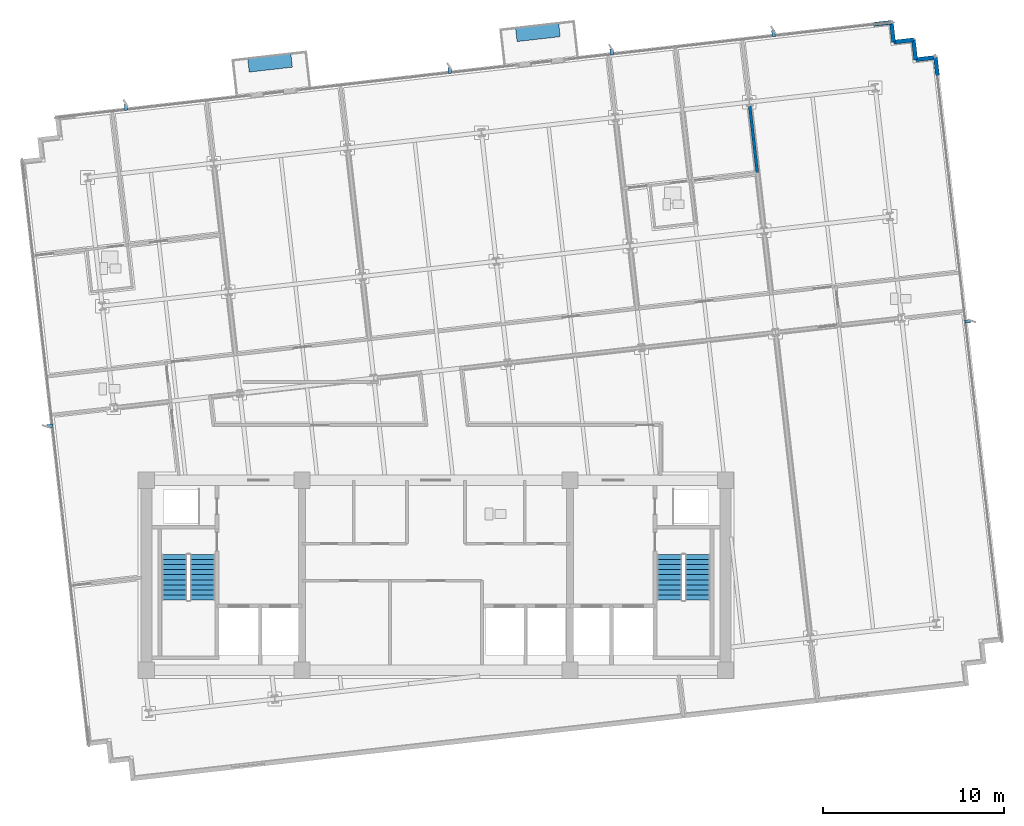
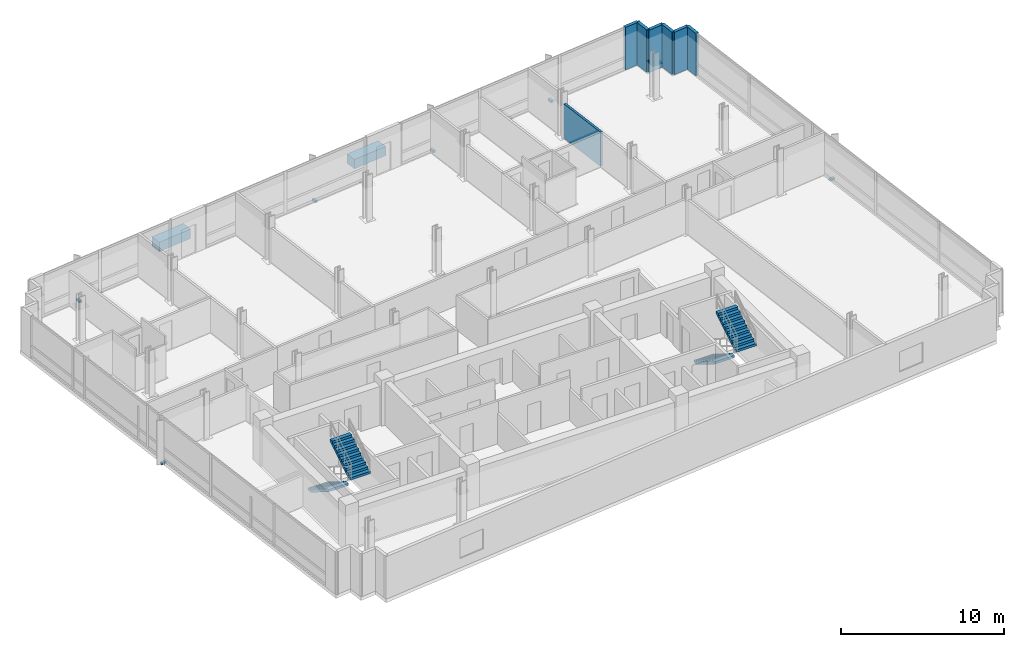
# One storey, part 11 of 15: 8 discrete accessories, 7 walls, 4 stair flights, 2 elements without a shape of their own.
"""IFC4 building model written with IfcOpenShell, lengths in metres."""

from ifc_helpers import new_model, si_unit, direction, frame, frame_2d, origin, origin_2d, place, context, subcontext, project, spatial, polyline, rectangle, outline, extrude, material, layer, layer_set, type_object, element, aggregate, save


model = new_model("IFC4")

# Units and contexts
model_context = context("Model", 3, precision=1e-05, world=origin(), true_north=direction((0.0, 1.0)))
body_context = subcontext(model_context, "Body", "Model", "MODEL_VIEW")
ifc_project = project(units=[si_unit("LENGTHUNIT", "METRE"), si_unit("AREAUNIT", "SQUARE_METRE"), si_unit("VOLUMEUNIT", "CUBIC_METRE"), si_unit("PLANEANGLEUNIT", "RADIAN"), si_unit("MASSUNIT", "GRAM", prefix="KILO")], contexts=[model_context])

# Site, building, storey
site_placement = place(None, origin())
site = spatial("IfcSite", under=ifc_project, at=site_placement, CompositionType="ELEMENT")
building_placement = place(site_placement, origin())
building = spatial("IfcBuilding", under=site, at=building_placement, Name="Solmavex Isthmus Hotel", CompositionType="ELEMENT")
storey_placement = place(building_placement, frame((0.0, 0.0, 229.64990234375)))
storey = spatial("IfcBuildingStorey", under=building, at=storey_placement, Name="L62", CompositionType="ELEMENT", Elevation=229.64990234375)

# Walls
ifc_material_1 = material(Name="Precast Concrete C40/50", Category="concrete")
ifc_layer_1 = layer(ifc_material_1, 0.25)
ifc_layer_set_1 = layer_set([ifc_layer_1], Name="Precast Concrete C40/50")
wall_type_1 = type_object("IfcWallType", Name="EW-TWR-250", PredefinedType="STANDARD", material=ifc_layer_set_1)
wall_1_placement = place(storey_placement, frame((24.175537109375, 22.684814453125, 0.0), z_axis=(0.0, 0.0, 1.0), x_axis=(0.993573147212, 0.113191877531, 0.0)))
element("IfcWall", 1, at=wall_1_placement, inside=storey, type_object=wall_type_1, Name="Serrated Corner Facade Panel L62-14", PredefinedType="STANDARD", context=body_context, shape_type="SweptSolid", body=[
    extrude(rectangle(XDim=0.989990234375, YDim=0.219970703125, at=frame_2d((0.4951171875, 0.0))), origin(), (0.0, 0.0, 1.0), 3.190185546875),
])
for number, where, z_axis, x_axis, name in (
    (2, (25.1591796875, 22.796875, 0.0), (0.0, 0.0, 1.0), (0.11320852056, -0.99357125103, 0.0), "Serrated Corner Facade Panel L62-15"),
    (3, (25.28369140625, 21.7041015625, 0.0), (0.0, 0.0, 1.0), (0.99357125103, 0.11320852056, 0.0), "Serrated Corner Facade Panel L62-16"),
):
    element("IfcWall", number, at=place(storey_placement, frame(where, z_axis=z_axis, x_axis=x_axis)), inside=storey, type_object=wall_type_1, Name=name, PredefinedType="STANDARD", context=body_context, shape_type="SweptSolid", body=[
        extrude(rectangle(XDim=1.099853515625, YDim=0.219970703125, at=frame_2d((0.5498046875, 0.0))), origin(), (0.0, 0.0, 1.0), 3.190185546875),
    ])
wall_2_placement = place(storey_placement, frame((26.37646484375, 21.82861328125, 0.0), z_axis=(0.0, 0.0, 1.0), x_axis=(0.113402635104, -0.993549114212, 0.0)))
element("IfcWall", 4, at=wall_2_placement, inside=storey, type_object=wall_type_1, Name="Serrated Corner Facade Panel L62-17", PredefinedType="STANDARD", context=body_context, shape_type="SweptSolid", body=[
    extrude(rectangle(XDim=1.10009765625, YDim=0.219970703125, at=frame_2d((0.550048828125, 0.0))), origin(), (0.0, 0.0, 1.0), 3.190185546875),
])
wall_3_placement = place(storey_placement, frame((26.501220703125, 20.735595703125, 0.0), z_axis=(0.0, 0.0, 1.0), x_axis=(0.99357125103, 0.11320852056, 0.0)))
element("IfcWall", 5, at=wall_3_placement, inside=storey, type_object=wall_type_1, Name="Serrated Corner Facade Panel L62-18", PredefinedType="STANDARD", context=body_context, shape_type="SweptSolid", body=[
    extrude(rectangle(XDim=1.099853515625, YDim=0.219970703125, at=frame_2d((0.5498046875, 0.0))), origin(), (0.0, 0.0, 1.0), 3.190185546875),
])
wall_4_placement = place(storey_placement, frame((27.593994140625, 20.860107421875, 0.0), z_axis=(0.0, 0.0, 1.0), x_axis=(0.113191877531, -0.993573147212, 0.0)))
element("IfcWall", 6, at=wall_4_placement, inside=storey, type_object=wall_type_1, Name="Serrated Corner Facade Panel L62-19", PredefinedType="STANDARD", context=body_context, shape_type="SweptSolid", body=[
    extrude(rectangle(XDim=0.989990234375, YDim=0.219970703125, at=frame_2d((0.4951171875, 0.0))), origin(), (0.0, 0.0, 1.0), 3.190185546875),
])
ifc_material_2 = material(Name="Gypsum plasterboard lining", Category="gypsum")
ifc_layer_2 = layer(ifc_material_2, 0.159912109375)
ifc_layer_set_2 = layer_set([ifc_layer_2], Name="Gypsum plasterboard lining")
wall_type_2 = type_object("IfcWallType", Name="IW-COMP-160", PredefinedType="PARTITIONING", material=ifc_layer_set_2)
wall_5_placement = place(storey_placement, frame((17.32958984375, 18.21484375, 0.0), z_axis=(0.0, 0.0, 1.0), x_axis=(0.11319107796, -0.993573238302, 0.0)))
element("IfcWall", 7, at=wall_5_placement, inside=storey, type_object=wall_type_2, Name="Interior Partition Wall W-L62-P051", PredefinedType="PARTITIONING", context=body_context, shape_type="SweptSolid", body=[
    extrude(rectangle(XDim=3.8154296875, YDim=0.159912109375, at=frame_2d((1.90771484375, 0.0))), origin(), (0.0, 0.0, 1.0), 2.572509765625),
])

# Stair, stair flights
ifc_material_3 = material(Name="Concrete C40/50", Category="concrete")
stair_type_1 = type_object("IfcStairType", Name="STR-ST-1", PredefinedType="HALF_TURN_STAIR", material=ifc_material_3)
stair_1_placement = place(storey_placement, origin())
stair_1 = element("IfcStair", 8, at=stair_1_placement, inside=storey, type_object=stair_type_1, Name="L62 Protected Exit Stair ST-1", PredefinedType="HALF_TURN_STAIR")
stair_flight_type_1 = type_object("IfcStairFlightType", Name="SFL-ST-1", PredefinedType="STRAIGHT", material=ifc_material_3)
stair_flight_1_placement = place(storey_placement, frame((-14.449951171875, -6.60009765625, 0.0), z_axis=(0.0, 0.0, 1.0), x_axis=(0.0, -1.0, 0.0)))
stair_flight_1 = element("IfcStairFlight", 9, at=stair_flight_1_placement, type_object=stair_flight_type_1, Name="ST-1 flight 1", NumberOfRisers=10, NumberOfTreads=9, PredefinedType="STRAIGHT", RiserHeight=0.1725, TreadLength=0.28, context=body_context, shape_type="SweptSolid", body=[
    extrude(outline(polyline([(0.0, 0.0), (0.0, 0.172607421875), (0.280029296875, 0.172607421875), (0.280029296875, 0.344970703125), (0.56005859375, 0.344970703125), (0.56005859375, 0.517578125), (0.840087890625, 0.517578125), (0.840087890625, 0.68994140625), (1.1201171875, 0.68994140625), (1.1201171875, 0.862548828125), (1.39990234375, 0.862548828125), (1.39990234375, 1.034912109375), (1.679931640625, 1.034912109375), (1.679931640625, 1.20751953125), (1.9599609375, 1.20751953125), (1.9599609375, 1.3798828125), (2.239990234375, 1.3798828125), (2.239990234375, 1.552490234375), (2.52001953125, 1.552490234375), (2.52001953125, 1.72509765625), (2.52001953125, 1.37646484375), (0.285888671875, 0.0), (0.0, 0.0)])), frame((0.0, 0.699951171875, 0.0), z_axis=(0.0, -1.0, 0.0), x_axis=(1.0, 0.0, 0.0)), (0.0, 0.0, 1.0), 1.39990234375),
])
stair_flight_2_placement = place(storey_placement, frame((-12.89990234375, -9.1201171875, 1.72509765625), z_axis=(0.0, 0.0, 1.0), x_axis=(0.0, 1.0, 0.0)))
stair_flight_2 = element("IfcStairFlight", 10, at=stair_flight_2_placement, type_object=stair_flight_type_1, Name="ST-1 flight 2", NumberOfRisers=10, NumberOfTreads=9, PredefinedType="STRAIGHT", RiserHeight=0.1725, TreadLength=0.28, context=body_context, shape_type="SweptSolid", body=[
    extrude(outline(polyline([(0.0, 0.0), (0.0, 0.172607421875), (0.280029296875, 0.172607421875), (0.280029296875, 0.344970703125), (0.56005859375, 0.344970703125), (0.56005859375, 0.517578125), (0.840087890625, 0.517578125), (0.840087890625, 0.68994140625), (1.1201171875, 0.68994140625), (1.1201171875, 0.862548828125), (1.39990234375, 0.862548828125), (1.39990234375, 1.034912109375), (1.679931640625, 1.034912109375), (1.679931640625, 1.20751953125), (1.9599609375, 1.20751953125), (1.9599609375, 1.3798828125), (2.239990234375, 1.3798828125), (2.239990234375, 1.552490234375), (2.52001953125, 1.552490234375), (2.52001953125, 1.72509765625), (2.52001953125, 1.37646484375), (0.285888671875, 0.0), (0.0, 0.0)])), frame((0.0, 0.699951171875, 0.0), z_axis=(0.0, -1.0, 0.0), x_axis=(1.0, 0.0, 0.0)), (0.0, 0.0, 1.0), 1.39990234375),
])
aggregate(stair_1, [stair_flight_1, stair_flight_2])

stair_type_2 = type_object("IfcStairType", Name="STR-ST-2", PredefinedType="HALF_TURN_STAIR", material=ifc_material_3)
stair_2_placement = place(storey_placement, origin())
stair_2 = element("IfcStair", 11, at=stair_2_placement, inside=storey, type_object=stair_type_2, Name="L62 Protected Exit Stair ST-2", PredefinedType="HALF_TURN_STAIR")
stair_flight_type_2 = type_object("IfcStairFlightType", Name="SFL-ST-2", PredefinedType="STRAIGHT", material=ifc_material_3)
stair_flight_3_placement = place(storey_placement, frame((12.89990234375, -6.60009765625, 0.0), z_axis=(0.0, 0.0, 1.0), x_axis=(0.0, -1.0, 0.0)))
stair_flight_3 = element("IfcStairFlight", 12, at=stair_flight_3_placement, type_object=stair_flight_type_2, Name="ST-2 flight 1", NumberOfRisers=10, NumberOfTreads=9, PredefinedType="STRAIGHT", RiserHeight=0.1725, TreadLength=0.28, context=body_context, shape_type="SweptSolid", body=[
    extrude(outline(polyline([(0.0, 0.0), (0.0, 0.172607421875), (0.280029296875, 0.172607421875), (0.280029296875, 0.344970703125), (0.56005859375, 0.344970703125), (0.56005859375, 0.517578125), (0.840087890625, 0.517578125), (0.840087890625, 0.68994140625), (1.1201171875, 0.68994140625), (1.1201171875, 0.862548828125), (1.39990234375, 0.862548828125), (1.39990234375, 1.034912109375), (1.679931640625, 1.034912109375), (1.679931640625, 1.20751953125), (1.9599609375, 1.20751953125), (1.9599609375, 1.3798828125), (2.239990234375, 1.3798828125), (2.239990234375, 1.552490234375), (2.52001953125, 1.552490234375), (2.52001953125, 1.72509765625), (2.52001953125, 1.37646484375), (0.285888671875, 0.0), (0.0, 0.0)])), frame((0.0, 0.699951171875, 0.0), z_axis=(0.0, -1.0, 0.0), x_axis=(1.0, 0.0, 0.0)), (0.0, 0.0, 1.0), 1.39990234375),
])
stair_flight_4_placement = place(storey_placement, frame((14.449951171875, -9.1201171875, 1.72509765625), z_axis=(0.0, 0.0, 1.0), x_axis=(0.0, 1.0, 0.0)))
stair_flight_4 = element("IfcStairFlight", 13, at=stair_flight_4_placement, type_object=stair_flight_type_2, Name="ST-2 flight 2", NumberOfRisers=10, NumberOfTreads=9, PredefinedType="STRAIGHT", RiserHeight=0.1725, TreadLength=0.28, context=body_context, shape_type="SweptSolid", body=[
    extrude(outline(polyline([(0.0, 0.0), (0.0, 0.172607421875), (0.280029296875, 0.172607421875), (0.280029296875, 0.344970703125), (0.56005859375, 0.344970703125), (0.56005859375, 0.517578125), (0.840087890625, 0.517578125), (0.840087890625, 0.68994140625), (1.1201171875, 0.68994140625), (1.1201171875, 0.862548828125), (1.39990234375, 0.862548828125), (1.39990234375, 1.034912109375), (1.679931640625, 1.034912109375), (1.679931640625, 1.20751953125), (1.9599609375, 1.20751953125), (1.9599609375, 1.3798828125), (2.239990234375, 1.3798828125), (2.239990234375, 1.552490234375), (2.52001953125, 1.552490234375), (2.52001953125, 1.72509765625), (2.52001953125, 1.37646484375), (0.285888671875, 0.0), (0.0, 0.0)])), frame((0.0, 0.699951171875, 0.0), z_axis=(0.0, -1.0, 0.0), x_axis=(1.0, 0.0, 0.0)), (0.0, 0.0, 1.0), 1.39990234375),
])
aggregate(stair_2, [stair_flight_3, stair_flight_4])

# Discrete accessories
ifc_material_4 = material(Name="Steel ASTM A572 Grade 50", Category="steel")
discrete_accessory_type_1 = type_object("IfcDiscreteAccessoryType", Name="ACC-BRK-FIN", PredefinedType="BRACKET", material=ifc_material_4)
for number, where, z_axis, x_axis, name in (
    (14, (-17.1220703125, 18.1103515625, -0.169921875), (0.0, 0.0, 1.0), (-0.113203213768, 0.993571855677, 0.0), "Facade Fin Support Bracket L62-N1"),
    (15, (0.76220703125, 20.148193359375, -0.169921875), (0.0, 0.0, 1.0), (-0.113203213768, 0.993571855677, 0.0), "Facade Fin Support Bracket L62-N2"),
    (16, (9.704345703125, 21.1669921875, -0.169921875), (0.0, 0.0, 1.0), (-0.113203213768, 0.993571855677, 0.0), "Facade Fin Support Bracket L62-N3"),
    (17, (18.646484375, 22.185791015625, -0.169921875), (0.0, 0.0, 1.0), (-0.113203213768, 0.993571855677, 0.0), "Facade Fin Support Bracket L62-N4"),
    (18, (-21.32568359375, 0.50146484375, -0.169921875), (0.0, 0.0, 1.0), (-0.993571855677, -0.113203213768, 0.0), "Facade Fin Support Bracket L62-W1"),
    (19, (29.38623046875, 6.279296875, -0.169921875), (0.0, 0.0, 1.0), (0.993571855677, 0.113203213768, 0.0), "Facade Fin Support Bracket L62-E1"),
):
    element("IfcDiscreteAccessory", number, at=place(storey_placement, frame(where, z_axis=z_axis, x_axis=x_axis)), inside=storey, type_object=discrete_accessory_type_1, Name=name, PredefinedType="BRACKET", context=body_context, shape_type="SweptSolid", body=[
        extrude(rectangle(XDim=0.340087890625, YDim=0.179931640625, at=origin_2d()), origin(), (0.0, 0.0, 1.0), 0.159912109375),
    ])
discrete_accessory_type_2 = type_object("IfcDiscreteAccessoryType", Name="ACC-PLN-BALC", PredefinedType="USERDEFINED", material=ifc_material_1)
for number, where, z_axis, x_axis, name in (
    (20, (-9.1669921875, 20.556640625, 0.0), (0.0, 0.0, 1.0), (0.993571855677, 0.113203213768, 0.0), "Tree-Balcony Architectural Planter L62-B1"),
    (21, (5.62939453125, 22.24267578125, 0.0), (0.0, 0.0, 1.0), (0.993571855677, 0.113203213768, 0.0), "Tree-Balcony Architectural Planter L62-B2"),
):
    element("IfcDiscreteAccessory", number, at=place(storey_placement, frame(where, z_axis=z_axis, x_axis=x_axis)), inside=storey, type_object=discrete_accessory_type_2, Name=name, ObjectType="PLANTER", PredefinedType="USERDEFINED", context=body_context, shape_type="SweptSolid", body=[
        extrude(rectangle(XDim=2.39990234375, YDim=0.75, at=origin_2d()), origin(), (0.0, 0.0, 1.0), 0.699951171875),
    ])

save(model, "model.ifc")
